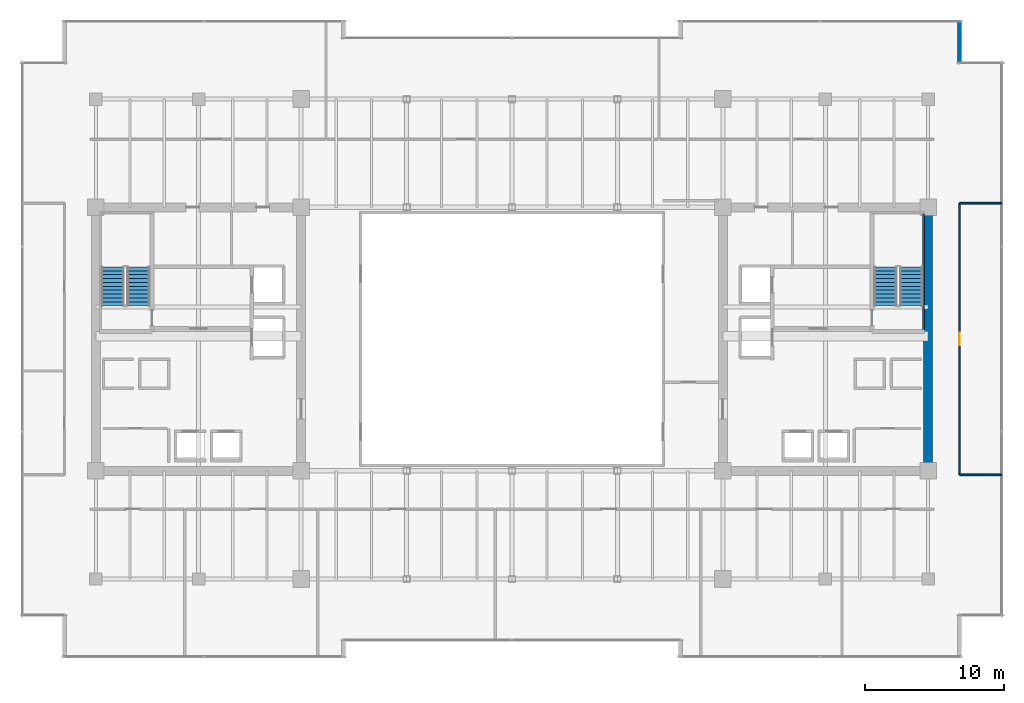
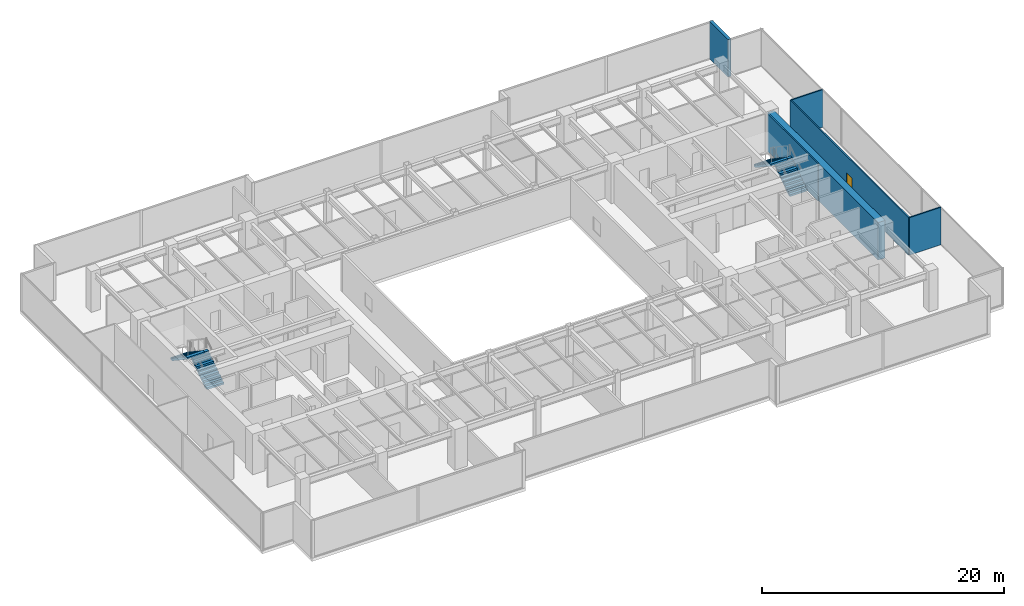
# One storey, part 28 of 30: 6 walls, 4 stair flights, 1 door, 1 opening, 2 elements without a shape of their own.
"""IFC4 building model written with IfcOpenShell, lengths in metres."""

from ifc_helpers import new_model, si_unit, direction, frame, frame_2d, origin, place, context, subcontext, project, spatial, polyline, rectangle, outline, extrude, source, transform, mapped, material, layer, layer_set, type_object, type_shapes, element, fill, aggregate, save


model = new_model("IFC4")

# Units and contexts
model_context = context("Model", 3, precision=1e-05, world=origin(), true_north=direction((0.0, 1.0)))
body_context = subcontext(model_context, "Body", "Model", "MODEL_VIEW")
ifc_project = project(units=[si_unit("LENGTHUNIT", "METRE"), si_unit("AREAUNIT", "SQUARE_METRE"), si_unit("VOLUMEUNIT", "CUBIC_METRE"), si_unit("PLANEANGLEUNIT", "RADIAN"), si_unit("MASSUNIT", "GRAM", prefix="KILO")], contexts=[model_context])

# Site, building, storey
site_placement = place(None, origin())
site = spatial("IfcSite", under=ifc_project, at=site_placement, CompositionType="ELEMENT")
building_placement = place(site_placement, origin())
building = spatial("IfcBuilding", under=site, at=building_placement, Name="Haelvirn Gate Laboratories", CompositionType="ELEMENT")
storey_placement = place(building_placement, frame((0.0, 0.0, 129.699951171875)))
storey = spatial("IfcBuildingStorey", under=building, at=storey_placement, Name="L31", CompositionType="ELEMENT", Elevation=129.699951171875)

# Walls
ifc_material_1 = material(Name="Thermally-broken bronze aluminium rainscreen & mineral wool", Category="aluminium")
ifc_layer_1 = layer(ifc_material_1, 0.280029296875, Name="EW-TERR-280")
ifc_layer_set_1 = layer_set([ifc_layer_1], Name="Thermally-broken bronze aluminium rainscreen & mineral wool")
wall_type_1 = type_object("IfcWallType", Name="EW-TERR-280", PredefinedType="STANDARD", material=ifc_layer_set_1)
wall_1_placement = place(storey_placement, frame((69.659912109375, 44.2119140625, 0.0), z_axis=(0.0, 0.0, 1.0), x_axis=(0.0, 1.0, 0.0)))
element("IfcWall", 1, at=wall_1_placement, inside=storey, type_object=wall_type_1, Name="L31 Atrium Recess Bronze Return Wall 09", PredefinedType="STANDARD", context=body_context, shape_type="SweptSolid", body=[
    extrude(rectangle(XDim=3.088134765625, YDim=0.280029296875, at=frame_2d((1.5439453125, 0.0))), origin(), (0.0, 0.0, 1.0), 3.7900390625),
])
ifc_material_2 = material(Name="Lightweight acoustic gypsum board partition", Category="gypsum")
ifc_layer_2 = layer(ifc_material_2, 0.1201171875, Name="IW-PART-120")
ifc_layer_set_2 = layer_set([ifc_layer_2], Name="Lightweight acoustic gypsum board partition")
wall_type_2 = type_object("IfcWallType", Name="IW-PART-120", PredefinedType="PARTITIONING", material=ifc_layer_set_2)
for number, where, z_axis, x_axis, name in (
    (2, (69.669921875, 14.514892578125, 0.0), (0.0, 0.0, 1.0), (1.0, 0.0, 0.0), "L31 Interior Wall IW-L31-ECAP-S"),
    (3, (69.669921875, 34.0849609375, 0.0), (0.0, 0.0, 1.0), (1.0, 0.0, 0.0), "L31 Interior Wall IW-L31-ECAP-N"),
):
    element("IfcWall", number, at=place(storey_placement, frame(where, z_axis=z_axis, x_axis=x_axis)), inside=storey, type_object=wall_type_2, Name=name, PredefinedType="PARTITIONING", context=body_context, shape_type="SweptSolid", body=[
        extrude(rectangle(XDim=3.02001953125, YDim=0.1201171875, at=frame_2d((1.510009765625, 0.0))), origin(), (0.0, 0.0, 1.0), 3.7900390625),
    ])

# Wall, opening, door
wall_2_placement = place(storey_placement, frame((69.669921875, 14.514892578125, 0.0), z_axis=(0.0, 0.0, 1.0), x_axis=(0.0, 1.0, 0.0)))
wall_2 = element("IfcWall", 4, at=wall_2_placement, inside=storey, type_object=wall_type_2, Name="L31 Interior Wall IW-L31-EPASS-01", PredefinedType="PARTITIONING", context=body_context, shape_type="SweptSolid", body=[
    extrude(rectangle(XDim=19.570068359375, YDim=0.1201171875, at=frame_2d((9.78515625, 0.0))), origin(), (0.0, 0.0, 1.0), 3.7900390625),
])
opening_placement = place(wall_2_placement, frame((9.3349609375, 0.0, 0.0)))
opening = element("IfcOpeningElement", 5, at=opening_placement, cuts=wall_2, Name="Opening D4", PredefinedType="OPENING", context=body_context, shape_type="SweptSolid", body=[
    extrude(rectangle(XDim=0.89990234375, YDim=2.10009765625, at=frame_2d((0.449951171875, 1.050048828125))), frame((0.0, 0.070068359375, 0.0), z_axis=(0.0, -1.0, 0.0), x_axis=(1.0, 0.0, 0.0)), (0.0, 0.0, 1.0), 0.14013671875),
])
ifc_material_3 = material(Name="Glazed aluminium-framed write-up door", Category="aluminium")
door_type = type_object("IfcDoorType", Name="DR-OFF-900", OperationType="NOTDEFINED", PredefinedType="DOOR", material=ifc_material_3)
shared_shape_1 = source(origin(), body_context, "Body", "SweptSolid", [
    extrude(rectangle(XDim=0.89990234375, YDim=2.10009765625, at=frame_2d((0.449951171875, 1.050048828125))), frame((0.0, 0.02490234375, 0.0), z_axis=(0.0, -1.0, 0.0), x_axis=(1.0, 0.0, 0.0)), (0.0, 0.0, 1.0), 0.050048828125),
])
type_shapes(door_type, [shared_shape_1])
door_placement = place(opening_placement, origin())
door = element("IfcDoor", 6, at=door_placement, inside=storey, type_object=door_type, Name="L31 Chemical Synthesis Laboratory Door E1", OperationType="SINGLE_SWING_LEFT", OverallHeight=2.10009765625, OverallWidth=0.89990234375, PredefinedType="DOOR", context=body_context, shape_type="MappedRepresentation", body=[
    mapped(shared_shape_1, transform((0.0, 0.0, 0.0), scale=1.0)),
])
fill(opening, door)

# Walls
ifc_material_4 = material(Name="Concrete C60/75", Category="concrete")
ifc_layer_3 = layer(ifc_material_4, 0.64990234375, Name="SW-CORE-650")
ifc_layer_set_3 = layer_set([ifc_layer_3], Name="Concrete C60/75")
wall_type_3 = type_object("IfcWallType", Name="SW-CORE-650", PredefinedType="SHEAR", material=ifc_layer_set_3)
wall_3_placement = place(storey_placement, frame((67.39990234375, 15.125, 0.0), z_axis=(0.0, 0.0, 1.0), x_axis=(0.0, 1.0, 0.0)))
element("IfcWall", 7, at=wall_3_placement, inside=storey, type_object=wall_type_3, Name="L31 E Core Shear Wall E", PredefinedType="SHEAR", context=body_context, shape_type="SweptSolid", body=[
    extrude(rectangle(XDim=18.35009765625, YDim=0.64990234375, at=frame_2d((9.175048828125, 0.0))), origin(), (0.0, 0.0, 1.0), 3.7900390625),
])
ifc_material_5 = material(Name="Concrete C50/60", Category="concrete")
ifc_layer_4 = layer(ifc_material_5, 0.1201171875, Name="SW-LINER-120")
ifc_layer_set_4 = layer_set([ifc_layer_4], Name="Concrete C50/60")
wall_type_4 = type_object("IfcWallType", Name="SW-LINER-120", PredefinedType="SOLIDWALL", material=ifc_layer_set_4)
wall_4_placement = place(storey_placement, frame((67.070068359375, 25.0, 0.0), z_axis=(0.0, 0.0, 1.0), x_axis=(0.0, 1.0, 0.0)))
element("IfcWall", 8, at=wall_4_placement, inside=storey, type_object=wall_type_4, Name="L31 E Core Stair Shaft Liner Wall OUT", PredefinedType="SOLIDWALL", context=body_context, shape_type="SweptSolid", body=[
    extrude(rectangle(XDim=8.320068359375, YDim=0.1201171875, at=frame_2d((4.16015625, 0.0))), origin(), (0.0, 0.0, 1.0), 3.7900390625),
])

# Stair, stair flights
ifc_material_6 = material(Name="Concrete C40/50", Category="concrete")
stair_type = type_object("IfcStairType", Name="ST-DOG-1650-R22", PredefinedType="HALF_TURN_STAIR", material=ifc_material_6)
stair_1_placement = place(storey_placement, origin())
stair_1 = element("IfcStair", 9, at=stair_1_placement, inside=storey, type_object=stair_type, Name="L31 Escape Stair ST1", PredefinedType="HALF_TURN_STAIR")
stair_flight_type = type_object("IfcStairFlightType", Name="STF-1650-R11", PredefinedType="STRAIGHT", material=ifc_material_6)
shared_shape_2 = source(origin(), body_context, "Body", "SweptSolid", [
    extrude(outline(polyline([(0.0, 0.0), (0.0, 0.186279296875), (0.280029296875, 0.186279296875), (0.280029296875, 0.372802734375), (0.56005859375, 0.372802734375), (0.56005859375, 0.55908203125), (0.840087890625, 0.55908203125), (0.840087890625, 0.745361328125), (1.1201171875, 0.745361328125), (1.1201171875, 0.931884765625), (1.39990234375, 0.931884765625), (1.39990234375, 1.1181640625), (1.679931640625, 1.1181640625), (1.679931640625, 1.304443359375), (1.9599609375, 1.304443359375), (1.9599609375, 1.490966796875), (2.239990234375, 1.490966796875), (2.239990234375, 1.67724609375), (2.52001953125, 1.67724609375), (2.52001953125, 1.863525390625), (2.800048828125, 1.863525390625), (2.800048828125, 2.050048828125), (2.800048828125, 1.671630859375), (0.28857421875, 0.0), (0.0, 0.0)])), frame((0.0, 0.824951171875, 0.0), z_axis=(0.0, -1.0, 0.0), x_axis=(1.0, 0.0, 0.0)), (0.0, 0.0, 1.0), 1.64990234375),
])
type_shapes(stair_flight_type, [shared_shape_2])
stair_flight_1_placement = place(storey_placement, frame((10.47509765625, 26.699951171875, 0.0), z_axis=(0.0, 0.0, 1.0), x_axis=(0.0, 1.0, 0.0)))
stair_flight_1 = element("IfcStairFlight", 10, at=stair_flight_1_placement, type_object=stair_flight_type, Name="ST1 flight 1", NumberOfRisers=11, NumberOfTreads=10, PredefinedType="STRAIGHT", RiserHeight=0.186363636, TreadLength=0.28, context=body_context, shape_type="MappedRepresentation", body=[
    mapped(shared_shape_2, transform((0.0, 0.0, 0.0), scale=1.0)),
])
stair_flight_2_placement = place(storey_placement, frame((8.625, 29.5, 2.050048828125), z_axis=(0.0, 0.0, 1.0), x_axis=(0.0, -1.0, 0.0)))
stair_flight_2 = element("IfcStairFlight", 11, at=stair_flight_2_placement, type_object=stair_flight_type, Name="ST1 flight 2", NumberOfRisers=11, NumberOfTreads=10, PredefinedType="STRAIGHT", RiserHeight=0.186363636, TreadLength=0.28, context=body_context, shape_type="MappedRepresentation", body=[
    mapped(shared_shape_2, transform((0.0, 0.0, 0.0), scale=1.0)),
])
aggregate(stair_1, [stair_flight_1, stair_flight_2])

stair_2_placement = place(storey_placement, origin())
stair_2 = element("IfcStair", 12, at=stair_2_placement, inside=storey, type_object=stair_type, Name="L31 Escape Stair ST2", PredefinedType="HALF_TURN_STAIR")
stair_flight_3_placement = place(storey_placement, frame((66.175048828125, 26.699951171875, 0.0), z_axis=(0.0, 0.0, 1.0), x_axis=(0.0, 1.0, 0.0)))
stair_flight_3 = element("IfcStairFlight", 13, at=stair_flight_3_placement, type_object=stair_flight_type, Name="ST2 flight 1", NumberOfRisers=11, NumberOfTreads=10, PredefinedType="STRAIGHT", RiserHeight=0.186363636, TreadLength=0.28, context=body_context, shape_type="MappedRepresentation", body=[
    mapped(shared_shape_2, transform((0.0, 0.0, 0.0), scale=1.0)),
])
stair_flight_4_placement = place(storey_placement, frame((64.324951171875, 29.5, 2.050048828125), z_axis=(0.0, 0.0, 1.0), x_axis=(0.0, -1.0, 0.0)))
stair_flight_4 = element("IfcStairFlight", 14, at=stair_flight_4_placement, type_object=stair_flight_type, Name="ST2 flight 2", NumberOfRisers=11, NumberOfTreads=10, PredefinedType="STRAIGHT", RiserHeight=0.186363636, TreadLength=0.28, context=body_context, shape_type="MappedRepresentation", body=[
    mapped(shared_shape_2, transform((0.0, 0.0, 0.0), scale=1.0)),
])
aggregate(stair_2, [stair_flight_3, stair_flight_4])

save(model, "model.ifc")
